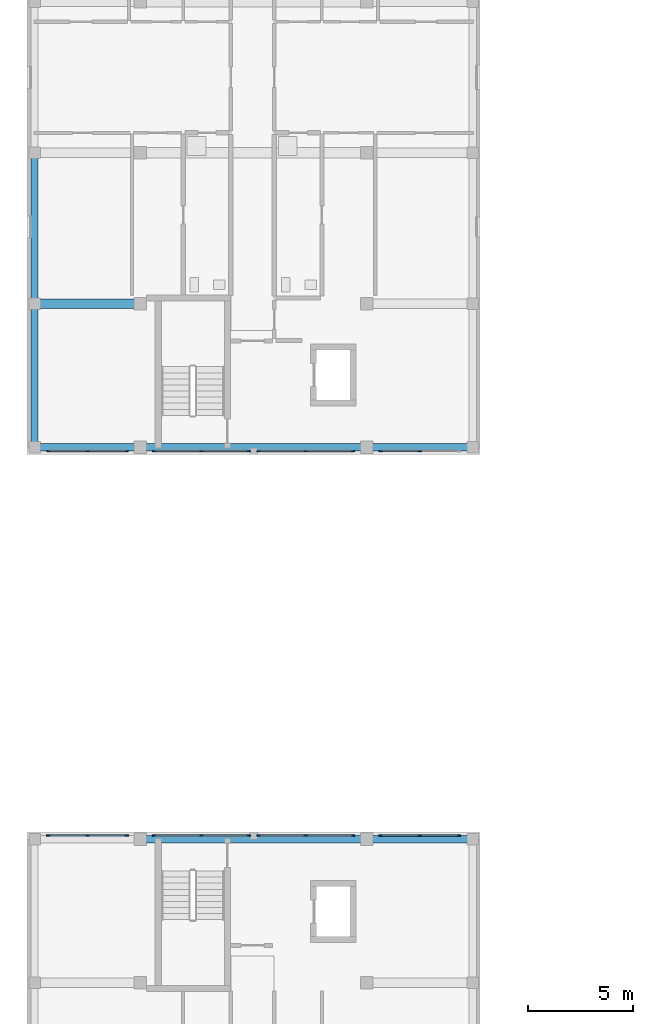
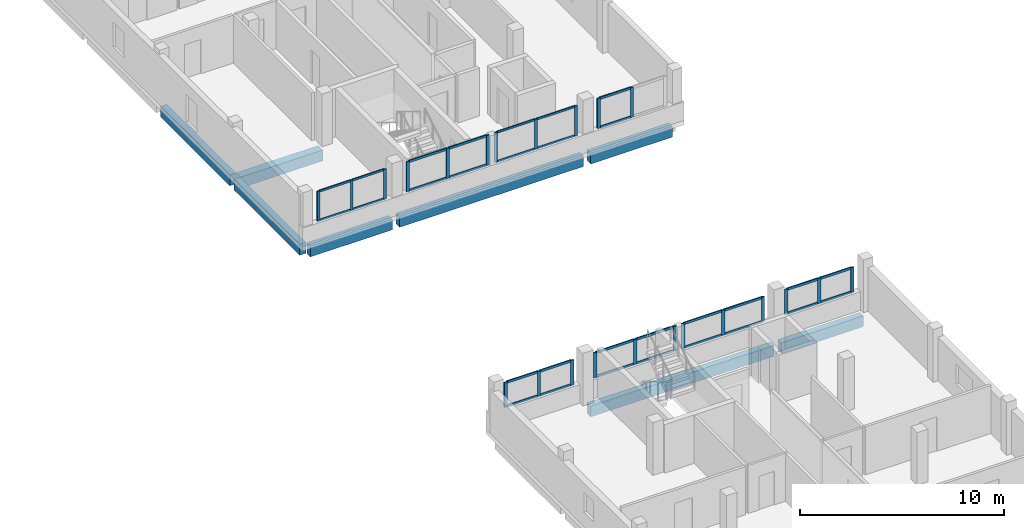
# One storey, part 4 of 38: 53 members, 8 beams, 8 elements without a shape of their own.
"""IFC4 building model written with IfcOpenShell, lengths in metres."""

from ifc_helpers import new_model, si_unit, derived_unit, direction, frame, origin, origin_2d, place, context, subcontext, project, spatial, rectangle, extrude, material, layer, layer_set, material_profile, profile_set, type_object, element, aggregate, save


model = new_model("IFC4")

# Units and contexts
model_context = context("Model", 3, precision=1e-05, world=origin(), true_north=direction((0.0, 1.0)))
body_context = subcontext(model_context, "Body", "Model", "MODEL_VIEW")
ifc_project = project(units=[si_unit("LENGTHUNIT", "METRE"), si_unit("AREAUNIT", "SQUARE_METRE"), si_unit("VOLUMEUNIT", "CUBIC_METRE"), si_unit("PLANEANGLEUNIT", "RADIAN"), si_unit("MASSUNIT", "GRAM", prefix="KILO"), derived_unit("THERMALTRANSMITTANCEUNIT", [(si_unit("MASSUNIT", "GRAM", prefix="KILO"), 1), (si_unit("TIMEUNIT", "SECOND"), -3), (si_unit("THERMODYNAMICTEMPERATUREUNIT", "KELVIN"), -1)])], contexts=[model_context])

# Site, building, storey
site_placement = place(None, origin())
site = spatial("IfcSite", under=ifc_project, at=site_placement, CompositionType="ELEMENT")
building_placement = place(site_placement, origin())
building = spatial("IfcBuilding", under=site, at=building_placement, Name="Ochrekiln Boulevard Commons", CompositionType="ELEMENT")
storey_placement = place(building_placement, frame((0.0, 0.0, 24.675048828125)))
storey = spatial("IfcBuildingStorey", under=building, at=storey_placement, Name="L07", CompositionType="ELEMENT", Elevation=24.675048828125)

# Beam
ifc_material_1 = material(Name="Concrete C35/45", Category="concrete")
ifc_material_profile_1 = material_profile(ifc_material_1, rectangle(XDim=0.449951171875, YDim=0.64990234375, at=origin_2d()), Name="RC-BM-450x650")
ifc_profile_set_1 = profile_set([ifc_material_profile_1], Name="Concrete C35/45")
beam_type_1 = type_object("IfcBeamType", Name="BM-RC-450x650", PredefinedType="BEAM", material=ifc_profile_set_1)
beam_1_placement = place(storey_placement, frame((0.56005859375, 75.60009765625, -0.5849609375), z_axis=(1.0, 0.0, 0.0), x_axis=(0.0, 1.0, 0.0)))
element("IfcBeam", 1, at=beam_1_placement, inside=storey, type_object=beam_type_1, Name="Block A L07 Beam B-4565 X4", PredefinedType="BEAM", context=body_context, shape_type="SweptSolid", body=[
    extrude(rectangle(XDim=0.449951171875, YDim=0.64990234375, at=origin_2d()), origin(), (0.0, 0.0, 1.0), 4.6298828125),
])

# Curtain wall, members
ifc_material_2 = material(Name="Bronze-anodized extruded aluminium 6063-T6", Category="aluminium")
ifc_layer = layer(ifc_material_2, 0.172119140625)
ifc_layer_set = layer_set([ifc_layer], Name="Bronze-anodized extruded aluminium 6063-T6")
curtain_wall_type = type_object("IfcCurtainWallType", Name="CW-GABLE-A", PredefinedType="USERDEFINED", material=ifc_layer_set)
curtain_wall_1_placement = place(storey_placement, origin())
curtain_wall_1 = element("IfcCurtainWall", 2, at=curtain_wall_1_placement, inside=storey, type_object=curtain_wall_type, Name="Block A L07 Courtyard Glazed Gable Curtain Wall 1", ObjectType="GLAZED CURTAIN WALL", PredefinedType="USERDEFINED")
ifc_material_profile_2 = material_profile(ifc_material_2, rectangle(XDim=0.06005859375, YDim=0.159912109375, at=origin_2d()), Name="ALU-MUL-60x160")
ifc_profile_set_2 = profile_set([ifc_material_profile_2], Name="Bronze-anodized extruded aluminium 6063-T6")
member_type_1 = type_object("IfcMemberType", Name="CWM-60x160", PredefinedType="MULLION", material=ifc_profile_set_2)
member_1_placement = place(storey_placement, frame((1.0, 68.56005859375, 1.10986328125), z_axis=(0.0, 0.0, 1.0), x_axis=(0.0, 1.0, 0.0)))
member_1 = element("IfcMember", 3, at=member_1_placement, type_object=member_type_1, Name="CW-01 mullion 1", PredefinedType="MULLION", context=body_context, shape_type="SweptSolid", body=[
    extrude(rectangle(XDim=0.06005859375, YDim=0.159912109375, at=origin_2d()), origin(), (0.0, 0.0, 1.0), 1.7900390625),
])
member_2_placement = place(storey_placement, frame((2.875, 68.56005859375, 1.10986328125), z_axis=(0.0, 0.0, 1.0), x_axis=(0.0, 1.0, 0.0)))
member_2 = element("IfcMember", 4, at=member_2_placement, type_object=member_type_1, Name="CW-01 mullion 2", PredefinedType="MULLION", context=body_context, shape_type="SweptSolid", body=[
    extrude(rectangle(XDim=0.06005859375, YDim=0.159912109375, at=origin_2d()), origin(), (0.0, 0.0, 1.0), 1.7900390625),
])
member_3_placement = place(storey_placement, frame((4.75, 68.56005859375, 1.10986328125), z_axis=(0.0, 0.0, 1.0), x_axis=(0.0, 1.0, 0.0)))
member_3 = element("IfcMember", 5, at=member_3_placement, type_object=member_type_1, Name="CW-01 mullion 3", PredefinedType="MULLION", context=body_context, shape_type="SweptSolid", body=[
    extrude(rectangle(XDim=0.06005859375, YDim=0.159912109375, at=origin_2d()), origin(), (0.0, 0.0, 1.0), 1.7900390625),
])

curtain_wall_2_placement = place(storey_placement, origin())
curtain_wall_2 = element("IfcCurtainWall", 6, at=curtain_wall_2_placement, inside=storey, type_object=curtain_wall_type, Name="Block A L07 Courtyard Glazed Gable Curtain Wall 3", ObjectType="GLAZED CURTAIN WALL", PredefinedType="USERDEFINED")
member_4_placement = place(storey_placement, frame((11.030029296875, 68.56005859375, 1.10986328125), z_axis=(0.0, 0.0, 1.0), x_axis=(0.0, 1.0, 0.0)))
member_4 = element("IfcMember", 7, at=member_4_placement, type_object=member_type_1, Name="CW-01 mullion 1", PredefinedType="MULLION", context=body_context, shape_type="SweptSolid", body=[
    extrude(rectangle(XDim=0.06005859375, YDim=0.159912109375, at=origin_2d()), origin(), (0.0, 0.0, 1.0), 1.7900390625),
])
member_5_placement = place(storey_placement, frame((13.2900390625, 68.56005859375, 1.10986328125), z_axis=(0.0, 0.0, 1.0), x_axis=(0.0, 1.0, 0.0)))
member_5 = element("IfcMember", 8, at=member_5_placement, type_object=member_type_1, Name="CW-01 mullion 2", PredefinedType="MULLION", context=body_context, shape_type="SweptSolid", body=[
    extrude(rectangle(XDim=0.06005859375, YDim=0.159912109375, at=origin_2d()), origin(), (0.0, 0.0, 1.0), 1.7900390625),
])
member_6_placement = place(storey_placement, frame((15.550048828125, 68.56005859375, 1.10986328125), z_axis=(0.0, 0.0, 1.0), x_axis=(0.0, 1.0, 0.0)))
member_6 = element("IfcMember", 9, at=member_6_placement, type_object=member_type_1, Name="CW-01 mullion 3", PredefinedType="MULLION", context=body_context, shape_type="SweptSolid", body=[
    extrude(rectangle(XDim=0.06005859375, YDim=0.159912109375, at=origin_2d()), origin(), (0.0, 0.0, 1.0), 1.7900390625),
])

curtain_wall_3_placement = place(storey_placement, origin())
curtain_wall_3 = element("IfcCurtainWall", 10, at=curtain_wall_3_placement, inside=storey, type_object=curtain_wall_type, Name="Block A L07 Courtyard Glazed Gable Curtain Wall 2", ObjectType="GLAZED CURTAIN WALL", PredefinedType="USERDEFINED")
ifc_material_profile_3 = material_profile(ifc_material_2, rectangle(XDim=0.06494140625, YDim=0.179931640625, at=origin_2d()), Name="ALU-MUL-65x180")
ifc_profile_set_3 = profile_set([ifc_material_profile_3], Name="Bronze-anodized extruded aluminium 6063-T6")
member_type_2 = type_object("IfcMemberType", Name="CWM-65x180", PredefinedType="MULLION", material=ifc_profile_set_3)
member_7_placement = place(storey_placement, frame((6.052490234375, 68.56005859375, 1.10986328125), z_axis=(0.0, 0.0, 1.0), x_axis=(0.0, 1.0, 0.0)))
member_7 = element("IfcMember", 11, at=member_7_placement, type_object=member_type_2, Name="CW-01 mullion 1", PredefinedType="MULLION", context=body_context, shape_type="SweptSolid", body=[
    extrude(rectangle(XDim=0.06494140625, YDim=0.179931640625, at=origin_2d()), origin(), (0.0, 0.0, 1.0), 1.7900390625),
])
member_8_placement = place(storey_placement, frame((8.31005859375, 68.56005859375, 1.10986328125), z_axis=(0.0, 0.0, 1.0), x_axis=(0.0, 1.0, 0.0)))
member_8 = element("IfcMember", 12, at=member_8_placement, type_object=member_type_2, Name="CW-01 mullion 2", PredefinedType="MULLION", context=body_context, shape_type="SweptSolid", body=[
    extrude(rectangle(XDim=0.06494140625, YDim=0.179931640625, at=origin_2d()), origin(), (0.0, 0.0, 1.0), 1.7900390625),
])
member_9_placement = place(storey_placement, frame((10.5673828125, 68.56005859375, 1.10986328125), z_axis=(0.0, 0.0, 1.0), x_axis=(0.0, 1.0, 0.0)))
member_9 = element("IfcMember", 13, at=member_9_placement, type_object=member_type_2, Name="CW-01 mullion 3", PredefinedType="MULLION", context=body_context, shape_type="SweptSolid", body=[
    extrude(rectangle(XDim=0.06494140625, YDim=0.179931640625, at=origin_2d()), origin(), (0.0, 0.0, 1.0), 1.7900390625),
])

curtain_wall_4_placement = place(storey_placement, origin())
curtain_wall_4 = element("IfcCurtainWall", 14, at=curtain_wall_4_placement, inside=storey, type_object=curtain_wall_type, Name="Block A L07 Courtyard Glazed Gable Curtain Wall 4", ObjectType="GLAZED CURTAIN WALL", PredefinedType="USERDEFINED")
member_10_placement = place(storey_placement, frame((16.8525390625, 68.56005859375, 1.10986328125), z_axis=(0.0, 0.0, 1.0), x_axis=(0.0, 1.0, 0.0)))
member_10 = element("IfcMember", 15, at=member_10_placement, type_object=member_type_2, Name="CW-01 mullion 1", PredefinedType="MULLION", context=body_context, shape_type="SweptSolid", body=[
    extrude(rectangle(XDim=0.06494140625, YDim=0.179931640625, at=origin_2d()), origin(), (0.0, 0.0, 1.0), 1.7900390625),
])
member_11_placement = place(storey_placement, frame((18.72509765625, 68.56005859375, 1.10986328125), z_axis=(0.0, 0.0, 1.0), x_axis=(0.0, 1.0, 0.0)))
member_11 = element("IfcMember", 16, at=member_11_placement, type_object=member_type_2, Name="CW-01 mullion 2", PredefinedType="MULLION", context=body_context, shape_type="SweptSolid", body=[
    extrude(rectangle(XDim=0.06494140625, YDim=0.179931640625, at=origin_2d()), origin(), (0.0, 0.0, 1.0), 1.7900390625),
])

curtain_wall_5_placement = place(storey_placement, origin())
curtain_wall_5 = element("IfcCurtainWall", 17, at=curtain_wall_5_placement, inside=storey, type_object=curtain_wall_type, Name="Block D L07 Courtyard Glazed Gable Curtain Wall 1", ObjectType="GLAZED CURTAIN WALL", PredefinedType="USERDEFINED")
member_12_placement = place(storey_placement, frame((1.00244140625, 50.217529296875, 1.10986328125), z_axis=(0.0, 0.0, 1.0), x_axis=(0.0, 1.0, 0.0)))
member_12 = element("IfcMember", 18, at=member_12_placement, type_object=member_type_2, Name="CW-01 mullion 1", PredefinedType="MULLION", context=body_context, shape_type="SweptSolid", body=[
    extrude(rectangle(XDim=0.06494140625, YDim=0.179931640625, at=origin_2d()), origin(), (0.0, 0.0, 1.0), 1.489990234375),
])
member_13_placement = place(storey_placement, frame((2.875, 50.217529296875, 1.10986328125), z_axis=(0.0, 0.0, 1.0), x_axis=(0.0, 1.0, 0.0)))
member_13 = element("IfcMember", 19, at=member_13_placement, type_object=member_type_2, Name="CW-01 mullion 2", PredefinedType="MULLION", context=body_context, shape_type="SweptSolid", body=[
    extrude(rectangle(XDim=0.06494140625, YDim=0.179931640625, at=origin_2d()), origin(), (0.0, 0.0, 1.0), 1.489990234375),
])
member_14_placement = place(storey_placement, frame((4.74755859375, 50.217529296875, 1.10986328125), z_axis=(0.0, 0.0, 1.0), x_axis=(0.0, 1.0, 0.0)))
member_14 = element("IfcMember", 20, at=member_14_placement, type_object=member_type_2, Name="CW-01 mullion 3", PredefinedType="MULLION", context=body_context, shape_type="SweptSolid", body=[
    extrude(rectangle(XDim=0.06494140625, YDim=0.179931640625, at=origin_2d()), origin(), (0.0, 0.0, 1.0), 1.489990234375),
])

curtain_wall_6_placement = place(storey_placement, origin())
curtain_wall_6 = element("IfcCurtainWall", 21, at=curtain_wall_6_placement, inside=storey, type_object=curtain_wall_type, Name="Block D L07 Courtyard Glazed Gable Curtain Wall 2", ObjectType="GLAZED CURTAIN WALL", PredefinedType="USERDEFINED")
member_15_placement = place(storey_placement, frame((6.052490234375, 50.217529296875, 1.10986328125), z_axis=(0.0, 0.0, 1.0), x_axis=(0.0, 1.0, 0.0)))
member_15 = element("IfcMember", 22, at=member_15_placement, type_object=member_type_2, Name="CW-01 mullion 1", PredefinedType="MULLION", context=body_context, shape_type="SweptSolid", body=[
    extrude(rectangle(XDim=0.06494140625, YDim=0.179931640625, at=origin_2d()), origin(), (0.0, 0.0, 1.0), 1.489990234375),
])
member_16_placement = place(storey_placement, frame((8.31005859375, 50.217529296875, 1.10986328125), z_axis=(0.0, 0.0, 1.0), x_axis=(0.0, 1.0, 0.0)))
member_16 = element("IfcMember", 23, at=member_16_placement, type_object=member_type_2, Name="CW-01 mullion 2", PredefinedType="MULLION", context=body_context, shape_type="SweptSolid", body=[
    extrude(rectangle(XDim=0.06494140625, YDim=0.179931640625, at=origin_2d()), origin(), (0.0, 0.0, 1.0), 1.489990234375),
])
member_17_placement = place(storey_placement, frame((10.5673828125, 50.217529296875, 1.10986328125), z_axis=(0.0, 0.0, 1.0), x_axis=(0.0, 1.0, 0.0)))
member_17 = element("IfcMember", 24, at=member_17_placement, type_object=member_type_2, Name="CW-01 mullion 3", PredefinedType="MULLION", context=body_context, shape_type="SweptSolid", body=[
    extrude(rectangle(XDim=0.06494140625, YDim=0.179931640625, at=origin_2d()), origin(), (0.0, 0.0, 1.0), 1.489990234375),
])

curtain_wall_7_placement = place(storey_placement, origin())
curtain_wall_7 = element("IfcCurtainWall", 25, at=curtain_wall_7_placement, inside=storey, type_object=curtain_wall_type, Name="Block D L07 Courtyard Glazed Gable Curtain Wall 3", ObjectType="GLAZED CURTAIN WALL", PredefinedType="USERDEFINED")
member_18_placement = place(storey_placement, frame((11.032470703125, 50.217529296875, 1.10986328125), z_axis=(0.0, 0.0, 1.0), x_axis=(0.0, 1.0, 0.0)))
member_18 = element("IfcMember", 26, at=member_18_placement, type_object=member_type_2, Name="CW-01 mullion 1", PredefinedType="MULLION", context=body_context, shape_type="SweptSolid", body=[
    extrude(rectangle(XDim=0.06494140625, YDim=0.179931640625, at=origin_2d()), origin(), (0.0, 0.0, 1.0), 1.489990234375),
])
member_19_placement = place(storey_placement, frame((13.2900390625, 50.217529296875, 1.10986328125), z_axis=(0.0, 0.0, 1.0), x_axis=(0.0, 1.0, 0.0)))
member_19 = element("IfcMember", 27, at=member_19_placement, type_object=member_type_2, Name="CW-01 mullion 2", PredefinedType="MULLION", context=body_context, shape_type="SweptSolid", body=[
    extrude(rectangle(XDim=0.06494140625, YDim=0.179931640625, at=origin_2d()), origin(), (0.0, 0.0, 1.0), 1.489990234375),
])
member_20_placement = place(storey_placement, frame((15.547607421875, 50.217529296875, 1.10986328125), z_axis=(0.0, 0.0, 1.0), x_axis=(0.0, 1.0, 0.0)))
member_20 = element("IfcMember", 28, at=member_20_placement, type_object=member_type_2, Name="CW-01 mullion 3", PredefinedType="MULLION", context=body_context, shape_type="SweptSolid", body=[
    extrude(rectangle(XDim=0.06494140625, YDim=0.179931640625, at=origin_2d()), origin(), (0.0, 0.0, 1.0), 1.489990234375),
])

curtain_wall_8_placement = place(storey_placement, origin())
curtain_wall_8 = element("IfcCurtainWall", 29, at=curtain_wall_8_placement, inside=storey, type_object=curtain_wall_type, Name="Block D L07 Courtyard Glazed Gable Curtain Wall 4", ObjectType="GLAZED CURTAIN WALL", PredefinedType="USERDEFINED")
member_21_placement = place(storey_placement, frame((16.8525390625, 50.217529296875, 1.10986328125), z_axis=(0.0, 0.0, 1.0), x_axis=(0.0, 1.0, 0.0)))
member_21 = element("IfcMember", 30, at=member_21_placement, type_object=member_type_2, Name="CW-01 mullion 1", PredefinedType="MULLION", context=body_context, shape_type="SweptSolid", body=[
    extrude(rectangle(XDim=0.06494140625, YDim=0.179931640625, at=origin_2d()), origin(), (0.0, 0.0, 1.0), 1.489990234375),
])
member_22_placement = place(storey_placement, frame((18.72509765625, 50.217529296875, 1.10986328125), z_axis=(0.0, 0.0, 1.0), x_axis=(0.0, 1.0, 0.0)))
member_22 = element("IfcMember", 31, at=member_22_placement, type_object=member_type_2, Name="CW-01 mullion 2", PredefinedType="MULLION", context=body_context, shape_type="SweptSolid", body=[
    extrude(rectangle(XDim=0.06494140625, YDim=0.179931640625, at=origin_2d()), origin(), (0.0, 0.0, 1.0), 1.489990234375),
])
member_23_placement = place(storey_placement, frame((20.597412109375, 50.217529296875, 1.10986328125), z_axis=(0.0, 0.0, 1.0), x_axis=(0.0, 1.0, 0.0)))
member_23 = element("IfcMember", 32, at=member_23_placement, type_object=member_type_2, Name="CW-01 mullion 3", PredefinedType="MULLION", context=body_context, shape_type="SweptSolid", body=[
    extrude(rectangle(XDim=0.06494140625, YDim=0.179931640625, at=origin_2d()), origin(), (0.0, 0.0, 1.0), 1.489990234375),
])

# Member
ifc_material_profile_4 = material_profile(ifc_material_2, rectangle(XDim=0.06005859375, YDim=0.1201171875, at=origin_2d()), Name="ALU-TRN-60x120")
ifc_profile_set_4 = profile_set([ifc_material_profile_4], Name="Bronze-anodized extruded aluminium 6063-T6")
member_type_3 = type_object("IfcMemberType", Name="CWT-60x120", PredefinedType="USERDEFINED", material=ifc_profile_set_4)
member_24_placement = place(storey_placement, frame((1.030029296875, 68.56005859375, 1.139892578125), z_axis=(1.0, 0.0, 0.0), x_axis=(0.0, 1.0, 0.0)))
member_24 = element("IfcMember", 33, at=member_24_placement, type_object=member_type_3, Name="CW-01 transom 1.1", ObjectType="TRANSOM", PredefinedType="USERDEFINED", context=body_context, shape_type="SweptSolid", body=[
    extrude(rectangle(XDim=0.06005859375, YDim=0.1201171875, at=origin_2d()), origin(), (0.0, 0.0, 1.0), 1.81494140625),
])

member_25_placement = place(storey_placement, frame((1.030029296875, 68.56005859375, 2.869873046875), z_axis=(1.0, 0.0, 0.0), x_axis=(0.0, 1.0, 0.0)))
member_25 = element("IfcMember", 34, at=member_25_placement, type_object=member_type_3, Name="CW-01 transom 1.2", ObjectType="TRANSOM", PredefinedType="USERDEFINED", context=body_context, shape_type="SweptSolid", body=[
    extrude(rectangle(XDim=0.06005859375, YDim=0.1201171875, at=origin_2d()), origin(), (0.0, 0.0, 1.0), 1.81494140625),
])

member_26_placement = place(storey_placement, frame((2.905029296875, 68.56005859375, 1.139892578125), z_axis=(1.0, 0.0, 0.0), x_axis=(0.0, 1.0, 0.0)))
member_26 = element("IfcMember", 35, at=member_26_placement, type_object=member_type_3, Name="CW-01 transom 2.1", ObjectType="TRANSOM", PredefinedType="USERDEFINED", context=body_context, shape_type="SweptSolid", body=[
    extrude(rectangle(XDim=0.06005859375, YDim=0.1201171875, at=origin_2d()), origin(), (0.0, 0.0, 1.0), 1.81494140625),
])

member_27_placement = place(storey_placement, frame((2.905029296875, 68.56005859375, 2.869873046875), z_axis=(1.0, 0.0, 0.0), x_axis=(0.0, 1.0, 0.0)))
member_27 = element("IfcMember", 36, at=member_27_placement, type_object=member_type_3, Name="CW-01 transom 2.2", ObjectType="TRANSOM", PredefinedType="USERDEFINED", context=body_context, shape_type="SweptSolid", body=[
    extrude(rectangle(XDim=0.06005859375, YDim=0.1201171875, at=origin_2d()), origin(), (0.0, 0.0, 1.0), 1.81494140625),
])

aggregate(curtain_wall_1, [member_1, member_2, member_3, member_24, member_25, member_26, member_27])

member_28_placement = place(storey_placement, frame((11.06005859375, 68.56005859375, 1.139892578125), z_axis=(1.0, 0.0, 0.0), x_axis=(0.0, 1.0, 0.0)))
member_28 = element("IfcMember", 37, at=member_28_placement, type_object=member_type_3, Name="CW-01 transom 1.1", ObjectType="TRANSOM", PredefinedType="USERDEFINED", context=body_context, shape_type="SweptSolid", body=[
    extrude(rectangle(XDim=0.06005859375, YDim=0.1201171875, at=origin_2d()), origin(), (0.0, 0.0, 1.0), 2.199951171875),
])

member_29_placement = place(storey_placement, frame((11.06005859375, 68.56005859375, 2.869873046875), z_axis=(1.0, 0.0, 0.0), x_axis=(0.0, 1.0, 0.0)))
member_29 = element("IfcMember", 38, at=member_29_placement, type_object=member_type_3, Name="CW-01 transom 1.2", ObjectType="TRANSOM", PredefinedType="USERDEFINED", context=body_context, shape_type="SweptSolid", body=[
    extrude(rectangle(XDim=0.06005859375, YDim=0.1201171875, at=origin_2d()), origin(), (0.0, 0.0, 1.0), 2.199951171875),
])

member_30_placement = place(storey_placement, frame((13.320068359375, 68.56005859375, 1.139892578125), z_axis=(1.0, 0.0, 0.0), x_axis=(0.0, 1.0, 0.0)))
member_30 = element("IfcMember", 39, at=member_30_placement, type_object=member_type_3, Name="CW-01 transom 2.1", ObjectType="TRANSOM", PredefinedType="USERDEFINED", context=body_context, shape_type="SweptSolid", body=[
    extrude(rectangle(XDim=0.06005859375, YDim=0.1201171875, at=origin_2d()), origin(), (0.0, 0.0, 1.0), 2.199951171875),
])

member_31_placement = place(storey_placement, frame((13.320068359375, 68.56005859375, 2.869873046875), z_axis=(1.0, 0.0, 0.0), x_axis=(0.0, 1.0, 0.0)))
member_31 = element("IfcMember", 40, at=member_31_placement, type_object=member_type_3, Name="CW-01 transom 2.2", ObjectType="TRANSOM", PredefinedType="USERDEFINED", context=body_context, shape_type="SweptSolid", body=[
    extrude(rectangle(XDim=0.06005859375, YDim=0.1201171875, at=origin_2d()), origin(), (0.0, 0.0, 1.0), 2.199951171875),
])

aggregate(curtain_wall_2, [member_4, member_5, member_6, member_28, member_29, member_30, member_31])

ifc_material_profile_5 = material_profile(ifc_material_2, rectangle(XDim=0.06494140625, YDim=0.139892578125, at=origin_2d()), Name="ALU-TRN-65x140")
ifc_profile_set_5 = profile_set([ifc_material_profile_5], Name="Bronze-anodized extruded aluminium 6063-T6")
member_type_4 = type_object("IfcMemberType", Name="CWT-65x140", PredefinedType="USERDEFINED", material=ifc_profile_set_5)
member_32_placement = place(storey_placement, frame((6.0849609375, 68.56005859375, 1.142333984375), z_axis=(1.0, 0.0, 0.0), x_axis=(0.0, 1.0, 0.0)))
member_32 = element("IfcMember", 41, at=member_32_placement, type_object=member_type_4, Name="CW-01 transom 1.1", ObjectType="TRANSOM", PredefinedType="USERDEFINED", context=body_context, shape_type="SweptSolid", body=[
    extrude(rectangle(XDim=0.06494140625, YDim=0.139892578125, at=origin_2d()), origin(), (0.0, 0.0, 1.0), 2.192626953125),
])

member_33_placement = place(storey_placement, frame((6.0849609375, 68.56005859375, 2.867431640625), z_axis=(1.0, 0.0, 0.0), x_axis=(0.0, 1.0, 0.0)))
member_33 = element("IfcMember", 42, at=member_33_placement, type_object=member_type_4, Name="CW-01 transom 1.2", ObjectType="TRANSOM", PredefinedType="USERDEFINED", context=body_context, shape_type="SweptSolid", body=[
    extrude(rectangle(XDim=0.06494140625, YDim=0.139892578125, at=origin_2d()), origin(), (0.0, 0.0, 1.0), 2.192626953125),
])

member_34_placement = place(storey_placement, frame((8.342529296875, 68.56005859375, 1.142333984375), z_axis=(1.0, 0.0, 0.0), x_axis=(0.0, 1.0, 0.0)))
member_34 = element("IfcMember", 43, at=member_34_placement, type_object=member_type_4, Name="CW-01 transom 2.1", ObjectType="TRANSOM", PredefinedType="USERDEFINED", context=body_context, shape_type="SweptSolid", body=[
    extrude(rectangle(XDim=0.06494140625, YDim=0.139892578125, at=origin_2d()), origin(), (0.0, 0.0, 1.0), 2.1923828125),
])

member_35_placement = place(storey_placement, frame((8.342529296875, 68.56005859375, 2.867431640625), z_axis=(1.0, 0.0, 0.0), x_axis=(0.0, 1.0, 0.0)))
member_35 = element("IfcMember", 44, at=member_35_placement, type_object=member_type_4, Name="CW-01 transom 2.2", ObjectType="TRANSOM", PredefinedType="USERDEFINED", context=body_context, shape_type="SweptSolid", body=[
    extrude(rectangle(XDim=0.06494140625, YDim=0.139892578125, at=origin_2d()), origin(), (0.0, 0.0, 1.0), 2.1923828125),
])

aggregate(curtain_wall_3, [member_7, member_8, member_9, member_32, member_33, member_34, member_35])

member_36_placement = place(storey_placement, frame((16.885009765625, 68.56005859375, 1.142333984375), z_axis=(1.0, 0.0, 0.0), x_axis=(0.0, 1.0, 0.0)))
member_36 = element("IfcMember", 45, at=member_36_placement, type_object=member_type_4, Name="CW-01 transom 1.1", ObjectType="TRANSOM", PredefinedType="USERDEFINED", context=body_context, shape_type="SweptSolid", body=[
    extrude(rectangle(XDim=0.06494140625, YDim=0.139892578125, at=origin_2d()), origin(), (0.0, 0.0, 1.0), 1.807373046875),
])

member_37_placement = place(storey_placement, frame((16.885009765625, 68.56005859375, 2.867431640625), z_axis=(1.0, 0.0, 0.0), x_axis=(0.0, 1.0, 0.0)))
member_37 = element("IfcMember", 46, at=member_37_placement, type_object=member_type_4, Name="CW-01 transom 1.2", ObjectType="TRANSOM", PredefinedType="USERDEFINED", context=body_context, shape_type="SweptSolid", body=[
    extrude(rectangle(XDim=0.06494140625, YDim=0.139892578125, at=origin_2d()), origin(), (0.0, 0.0, 1.0), 1.807373046875),
])

aggregate(curtain_wall_4, [member_10, member_11, member_36, member_37])

member_38_placement = place(storey_placement, frame((1.034912109375, 50.217529296875, 1.142333984375), z_axis=(1.0, 0.0, 0.0), x_axis=(0.0, 1.0, 0.0)))
member_38 = element("IfcMember", 47, at=member_38_placement, type_object=member_type_4, Name="CW-01 transom 1.1", ObjectType="TRANSOM", PredefinedType="USERDEFINED", context=body_context, shape_type="SweptSolid", body=[
    extrude(rectangle(XDim=0.06494140625, YDim=0.139892578125, at=origin_2d()), origin(), (0.0, 0.0, 1.0), 1.8076171875),
])

member_39_placement = place(storey_placement, frame((1.034912109375, 50.217529296875, 2.5673828125), z_axis=(1.0, 0.0, 0.0), x_axis=(0.0, 1.0, 0.0)))
member_39 = element("IfcMember", 48, at=member_39_placement, type_object=member_type_4, Name="CW-01 transom 1.2", ObjectType="TRANSOM", PredefinedType="USERDEFINED", context=body_context, shape_type="SweptSolid", body=[
    extrude(rectangle(XDim=0.06494140625, YDim=0.139892578125, at=origin_2d()), origin(), (0.0, 0.0, 1.0), 1.8076171875),
])

member_40_placement = place(storey_placement, frame((2.907470703125, 50.217529296875, 1.142333984375), z_axis=(1.0, 0.0, 0.0), x_axis=(0.0, 1.0, 0.0)))
member_40 = element("IfcMember", 49, at=member_40_placement, type_object=member_type_4, Name="CW-01 transom 2.1", ObjectType="TRANSOM", PredefinedType="USERDEFINED", context=body_context, shape_type="SweptSolid", body=[
    extrude(rectangle(XDim=0.06494140625, YDim=0.139892578125, at=origin_2d()), origin(), (0.0, 0.0, 1.0), 1.8076171875),
])

member_41_placement = place(storey_placement, frame((2.907470703125, 50.217529296875, 2.5673828125), z_axis=(1.0, 0.0, 0.0), x_axis=(0.0, 1.0, 0.0)))
member_41 = element("IfcMember", 50, at=member_41_placement, type_object=member_type_4, Name="CW-01 transom 2.2", ObjectType="TRANSOM", PredefinedType="USERDEFINED", context=body_context, shape_type="SweptSolid", body=[
    extrude(rectangle(XDim=0.06494140625, YDim=0.139892578125, at=origin_2d()), origin(), (0.0, 0.0, 1.0), 1.8076171875),
])

aggregate(curtain_wall_5, [member_12, member_13, member_14, member_38, member_39, member_40, member_41])

member_42_placement = place(storey_placement, frame((6.0849609375, 50.217529296875, 1.142333984375), z_axis=(1.0, 0.0, 0.0), x_axis=(0.0, 1.0, 0.0)))
member_42 = element("IfcMember", 51, at=member_42_placement, type_object=member_type_4, Name="CW-01 transom 1.1", ObjectType="TRANSOM", PredefinedType="USERDEFINED", context=body_context, shape_type="SweptSolid", body=[
    extrude(rectangle(XDim=0.06494140625, YDim=0.139892578125, at=origin_2d()), origin(), (0.0, 0.0, 1.0), 2.192626953125),
])

member_43_placement = place(storey_placement, frame((6.0849609375, 50.217529296875, 2.5673828125), z_axis=(1.0, 0.0, 0.0), x_axis=(0.0, 1.0, 0.0)))
member_43 = element("IfcMember", 52, at=member_43_placement, type_object=member_type_4, Name="CW-01 transom 1.2", ObjectType="TRANSOM", PredefinedType="USERDEFINED", context=body_context, shape_type="SweptSolid", body=[
    extrude(rectangle(XDim=0.06494140625, YDim=0.139892578125, at=origin_2d()), origin(), (0.0, 0.0, 1.0), 2.192626953125),
])

member_44_placement = place(storey_placement, frame((8.342529296875, 50.217529296875, 1.142333984375), z_axis=(1.0, 0.0, 0.0), x_axis=(0.0, 1.0, 0.0)))
member_44 = element("IfcMember", 53, at=member_44_placement, type_object=member_type_4, Name="CW-01 transom 2.1", ObjectType="TRANSOM", PredefinedType="USERDEFINED", context=body_context, shape_type="SweptSolid", body=[
    extrude(rectangle(XDim=0.06494140625, YDim=0.139892578125, at=origin_2d()), origin(), (0.0, 0.0, 1.0), 2.1923828125),
])

member_45_placement = place(storey_placement, frame((8.342529296875, 50.217529296875, 2.5673828125), z_axis=(1.0, 0.0, 0.0), x_axis=(0.0, 1.0, 0.0)))
member_45 = element("IfcMember", 54, at=member_45_placement, type_object=member_type_4, Name="CW-01 transom 2.2", ObjectType="TRANSOM", PredefinedType="USERDEFINED", context=body_context, shape_type="SweptSolid", body=[
    extrude(rectangle(XDim=0.06494140625, YDim=0.139892578125, at=origin_2d()), origin(), (0.0, 0.0, 1.0), 2.1923828125),
])

aggregate(curtain_wall_6, [member_15, member_16, member_17, member_42, member_43, member_44, member_45])

member_46_placement = place(storey_placement, frame((11.06494140625, 50.217529296875, 1.142333984375), z_axis=(1.0, 0.0, 0.0), x_axis=(0.0, 1.0, 0.0)))
member_46 = element("IfcMember", 55, at=member_46_placement, type_object=member_type_4, Name="CW-01 transom 1.1", ObjectType="TRANSOM", PredefinedType="USERDEFINED", context=body_context, shape_type="SweptSolid", body=[
    extrude(rectangle(XDim=0.06494140625, YDim=0.139892578125, at=origin_2d()), origin(), (0.0, 0.0, 1.0), 2.192626953125),
])

member_47_placement = place(storey_placement, frame((11.06494140625, 50.217529296875, 2.5673828125), z_axis=(1.0, 0.0, 0.0), x_axis=(0.0, 1.0, 0.0)))
member_47 = element("IfcMember", 56, at=member_47_placement, type_object=member_type_4, Name="CW-01 transom 1.2", ObjectType="TRANSOM", PredefinedType="USERDEFINED", context=body_context, shape_type="SweptSolid", body=[
    extrude(rectangle(XDim=0.06494140625, YDim=0.139892578125, at=origin_2d()), origin(), (0.0, 0.0, 1.0), 2.192626953125),
])

member_48_placement = place(storey_placement, frame((13.322509765625, 50.217529296875, 1.142333984375), z_axis=(1.0, 0.0, 0.0), x_axis=(0.0, 1.0, 0.0)))
member_48 = element("IfcMember", 57, at=member_48_placement, type_object=member_type_4, Name="CW-01 transom 2.1", ObjectType="TRANSOM", PredefinedType="USERDEFINED", context=body_context, shape_type="SweptSolid", body=[
    extrude(rectangle(XDim=0.06494140625, YDim=0.139892578125, at=origin_2d()), origin(), (0.0, 0.0, 1.0), 2.1923828125),
])

member_49_placement = place(storey_placement, frame((13.322509765625, 50.217529296875, 2.5673828125), z_axis=(1.0, 0.0, 0.0), x_axis=(0.0, 1.0, 0.0)))
member_49 = element("IfcMember", 58, at=member_49_placement, type_object=member_type_4, Name="CW-01 transom 2.2", ObjectType="TRANSOM", PredefinedType="USERDEFINED", context=body_context, shape_type="SweptSolid", body=[
    extrude(rectangle(XDim=0.06494140625, YDim=0.139892578125, at=origin_2d()), origin(), (0.0, 0.0, 1.0), 2.1923828125),
])

aggregate(curtain_wall_7, [member_18, member_19, member_20, member_46, member_47, member_48, member_49])

member_50_placement = place(storey_placement, frame((16.885009765625, 50.217529296875, 1.142333984375), z_axis=(1.0, 0.0, 0.0), x_axis=(0.0, 1.0, 0.0)))
member_50 = element("IfcMember", 59, at=member_50_placement, type_object=member_type_4, Name="CW-01 transom 1.1", ObjectType="TRANSOM", PredefinedType="USERDEFINED", context=body_context, shape_type="SweptSolid", body=[
    extrude(rectangle(XDim=0.06494140625, YDim=0.139892578125, at=origin_2d()), origin(), (0.0, 0.0, 1.0), 1.807373046875),
])

member_51_placement = place(storey_placement, frame((16.885009765625, 50.217529296875, 2.5673828125), z_axis=(1.0, 0.0, 0.0), x_axis=(0.0, 1.0, 0.0)))
member_51 = element("IfcMember", 60, at=member_51_placement, type_object=member_type_4, Name="CW-01 transom 1.2", ObjectType="TRANSOM", PredefinedType="USERDEFINED", context=body_context, shape_type="SweptSolid", body=[
    extrude(rectangle(XDim=0.06494140625, YDim=0.139892578125, at=origin_2d()), origin(), (0.0, 0.0, 1.0), 1.807373046875),
])

member_52_placement = place(storey_placement, frame((18.757568359375, 50.217529296875, 1.142333984375), z_axis=(1.0, 0.0, 0.0), x_axis=(0.0, 1.0, 0.0)))
member_52 = element("IfcMember", 61, at=member_52_placement, type_object=member_type_4, Name="CW-01 transom 2.1", ObjectType="TRANSOM", PredefinedType="USERDEFINED", context=body_context, shape_type="SweptSolid", body=[
    extrude(rectangle(XDim=0.06494140625, YDim=0.139892578125, at=origin_2d()), origin(), (0.0, 0.0, 1.0), 1.807373046875),
])

member_53_placement = place(storey_placement, frame((18.757568359375, 50.217529296875, 2.5673828125), z_axis=(1.0, 0.0, 0.0), x_axis=(0.0, 1.0, 0.0)))
member_53 = element("IfcMember", 62, at=member_53_placement, type_object=member_type_4, Name="CW-01 transom 2.2", ObjectType="TRANSOM", PredefinedType="USERDEFINED", context=body_context, shape_type="SweptSolid", body=[
    extrude(rectangle(XDim=0.06494140625, YDim=0.139892578125, at=origin_2d()), origin(), (0.0, 0.0, 1.0), 1.807373046875),
])

aggregate(curtain_wall_8, [member_21, member_22, member_23, member_50, member_51, member_52, member_53])

# Beams
ifc_material_3 = material(Name="Concrete C40/50", Category="concrete")
ifc_material_profile_6 = material_profile(ifc_material_3, rectangle(XDim=0.35009765625, YDim=0.64990234375, at=origin_2d()), Name="RC-SPN-350x650")
ifc_profile_set_6 = profile_set([ifc_material_profile_6], Name="Concrete C40/50")
beam_type_2 = type_object("IfcBeamType", Name="SPN-RC-350x650", PredefinedType="SPANDREL", material=ifc_profile_set_6)
beam_2_placement = place(storey_placement, frame((0.56005859375, 68.75, -0.5849609375), z_axis=(1.0, 0.0, 0.0), x_axis=(0.0, 1.0, 0.0)))
element("IfcBeam", 63, at=beam_2_placement, inside=storey, type_object=beam_type_2, Name="Block A L07 Beam SP-3565 X1", PredefinedType="SPANDREL", context=body_context, shape_type="SweptSolid", body=[
    extrude(rectangle(XDim=0.35009765625, YDim=0.64990234375, at=origin_2d()), origin(), (0.0, 0.0, 1.0), 4.6298828125),
])
beam_3_placement = place(storey_placement, frame((5.610107421875, 68.75, -0.5849609375), z_axis=(1.0, 0.0, 0.0), x_axis=(0.0, 1.0, 0.0)))
element("IfcBeam", 64, at=beam_3_placement, inside=storey, type_object=beam_type_2, Name="Block A L07 Beam SP-3565 X2", PredefinedType="SPANDREL", context=body_context, shape_type="SweptSolid", body=[
    extrude(rectangle(XDim=0.35009765625, YDim=0.64990234375, at=origin_2d()), origin(), (0.0, 0.0, 1.0), 10.3798828125),
])
beam_4_placement = place(storey_placement, frame((16.409912109375, 68.75, -0.5849609375), z_axis=(1.0, 0.0, 0.0), x_axis=(0.0, 1.0, 0.0)))
element("IfcBeam", 65, at=beam_4_placement, inside=storey, type_object=beam_type_2, Name="Block A L07 Beam SP-3565 X3", PredefinedType="SPANDREL", context=body_context, shape_type="SweptSolid", body=[
    extrude(rectangle(XDim=0.35009765625, YDim=0.64990234375, at=origin_2d()), origin(), (0.0, 0.0, 1.0), 4.630126953125),
])
beam_5_placement = place(storey_placement, frame((0.35009765625, 68.9599609375, -0.5849609375), z_axis=(0.0, 1.0, 0.0), x_axis=(-1.0, 0.0, 0.0)))
element("IfcBeam", 66, at=beam_5_placement, inside=storey, type_object=beam_type_2, Name="Block A L07 Beam SP-3565 Y23", PredefinedType="SPANDREL", context=body_context, shape_type="SweptSolid", body=[
    extrude(rectangle(XDim=0.35009765625, YDim=0.64990234375, at=origin_2d()), origin(), (0.0, 0.0, 1.0), 6.429931640625),
])
beam_6_placement = place(storey_placement, frame((0.35009765625, 75.81005859375, -0.5849609375), z_axis=(0.0, 1.0, 0.0), x_axis=(-1.0, 0.0, 0.0)))
element("IfcBeam", 67, at=beam_6_placement, inside=storey, type_object=beam_type_2, Name="Block A L07 Beam SP-3565 Y24", PredefinedType="SPANDREL", context=body_context, shape_type="SweptSolid", body=[
    extrude(rectangle(XDim=0.35009765625, YDim=0.64990234375, at=origin_2d()), origin(), (0.0, 0.0, 1.0), 6.780029296875),
])
beam_7_placement = place(storey_placement, frame((5.610107421875, 50.050048828125, -0.5849609375), z_axis=(1.0, 0.0, 0.0), x_axis=(0.0, 1.0, 0.0)))
element("IfcBeam", 68, at=beam_7_placement, inside=storey, type_object=beam_type_2, Name="Block D L07 Beam SP-3565 X21", PredefinedType="SPANDREL", context=body_context, shape_type="SweptSolid", body=[
    extrude(rectangle(XDim=0.35009765625, YDim=0.64990234375, at=origin_2d()), origin(), (0.0, 0.0, 1.0), 10.3798828125),
])
beam_8_placement = place(storey_placement, frame((16.409912109375, 50.050048828125, -0.5849609375), z_axis=(1.0, 0.0, 0.0), x_axis=(0.0, 1.0, 0.0)))
element("IfcBeam", 69, at=beam_8_placement, inside=storey, type_object=beam_type_2, Name="Block D L07 Beam SP-3565 X22", PredefinedType="SPANDREL", context=body_context, shape_type="SweptSolid", body=[
    extrude(rectangle(XDim=0.35009765625, YDim=0.64990234375, at=origin_2d()), origin(), (0.0, 0.0, 1.0), 4.630126953125),
])

save(model, "model.ifc")
